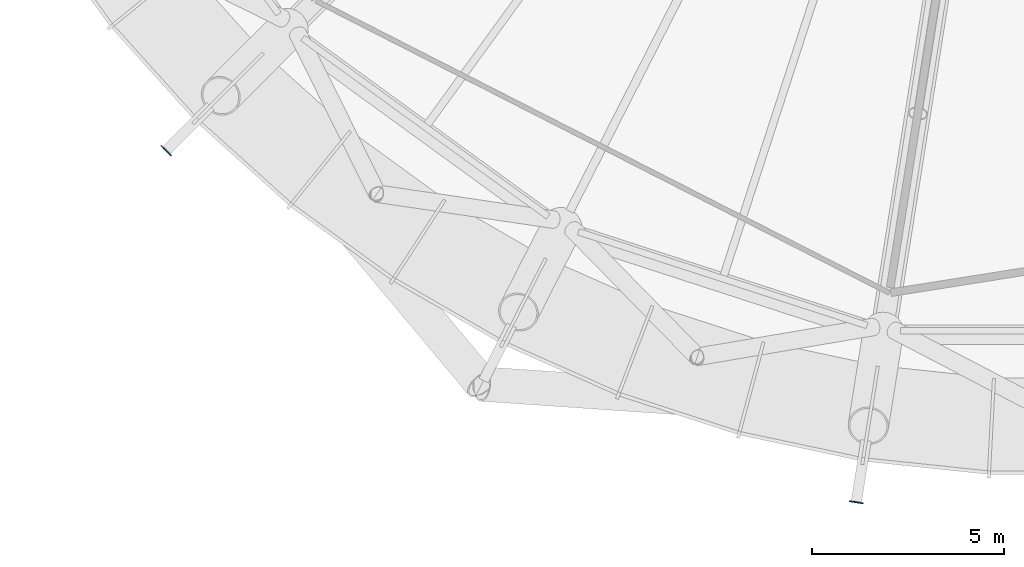
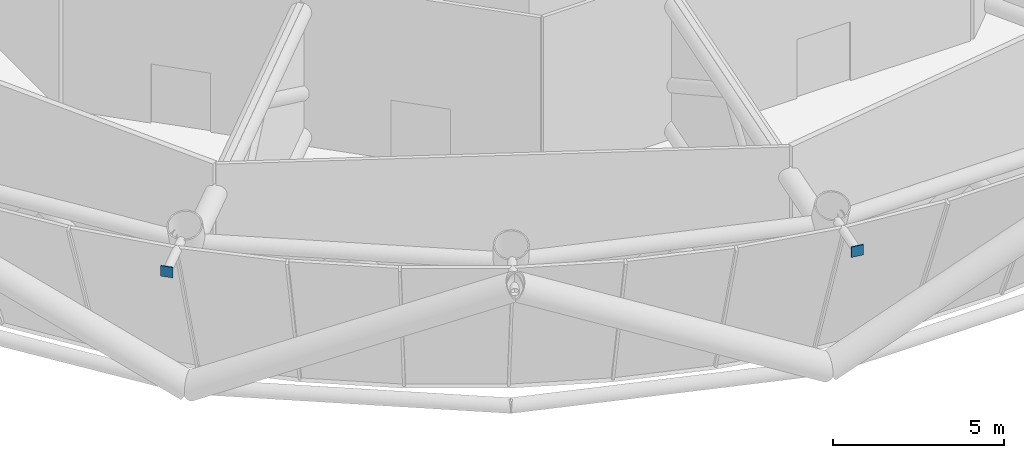
# One storey, part 13 of 20: 2 discrete accessories.
"""IFC4 building model written with IfcOpenShell, lengths in metres."""

from ifc_helpers import new_model, si_unit, direction, frame, origin, origin_2d, place, context, subcontext, project, spatial, rectangle, extrude, material, element, save


model = new_model("IFC4")

# Units and contexts
model_context = context("Model", 3, precision=1e-05, world=origin(), true_north=direction((0.0, 1.0)))
body_context = subcontext(model_context, "Body", "Model", "MODEL_VIEW")
ifc_project = project(units=[si_unit("LENGTHUNIT", "METRE"), si_unit("AREAUNIT", "SQUARE_METRE"), si_unit("VOLUMEUNIT", "CUBIC_METRE"), si_unit("PLANEANGLEUNIT", "RADIAN"), si_unit("MASSUNIT", "GRAM", prefix="KILO")], contexts=[model_context])

# Site, building, storey
site_placement = place(None, origin())
site = spatial("IfcSite", under=ifc_project, at=site_placement, CompositionType="ELEMENT")
building_placement = place(site_placement, origin())
building = spatial("IfcBuilding", under=site, at=building_placement, Name="Entoto Ring Tower", CompositionType="ELEMENT")
storey_placement = place(building_placement, frame((0.0, 0.0, 330.0)))
storey = spatial("IfcBuildingStorey", under=building, at=storey_placement, Name="L76", CompositionType="ELEMENT", Elevation=330.0)

# Discrete accessories
ifc_material = material(Name="Steel S355", Category="steel")
for number, where, z_axis, x_axis, name in (
    (1, (66.937744140625, 56.937744140625, 5.52685546875), (0.0, 0.0, 1.0), (-0.707106781187, -0.707106781187, 0.0), "Node strut end plate DS2 ring 25 12"),
    (2, (84.89794921875, 47.78662109375, 5.52685546875), (0.0, 0.0, 1.0), (-0.15643446504, -0.987688340595, 0.0), "Node strut end plate DS2 ring 25 14"),
):
    element("IfcDiscreteAccessory", number, at=place(storey_placement, frame(where, z_axis=z_axis, x_axis=x_axis)), inside=storey, material=ifc_material, Name=name, PredefinedType="BRACKET", context=body_context, shape_type="SweptSolid", body=[
        extrude(rectangle(XDim=0.030029296875, YDim=0.373046875, at=origin_2d()), origin(), (0.0, 0.0, 1.0), 0.373046875),
    ])

save(model, "model.ifc")
